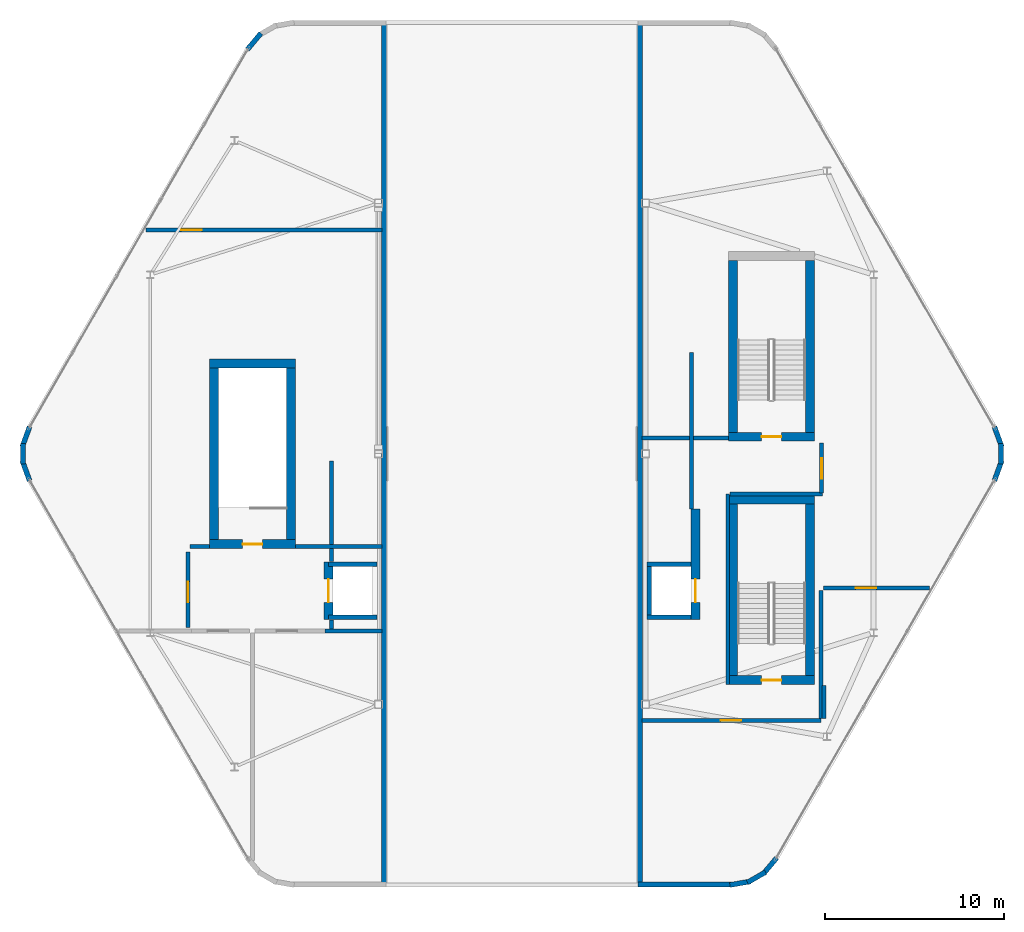
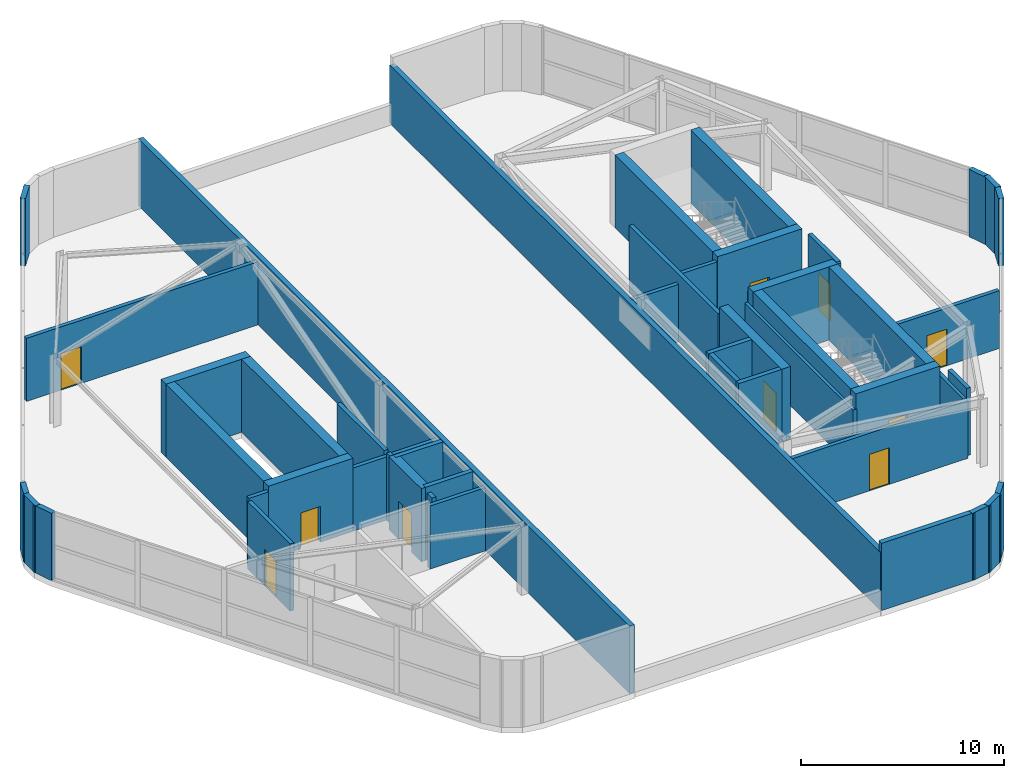
# One storey, part 12 of 14: 49 walls, 10 doors, 10 openings.
"""IFC4 building model written with IfcOpenShell, lengths in metres."""

from ifc_helpers import new_model, si_unit, direction, frame, frame_2d, origin, place, context, subcontext, project, spatial, rectangle, extrude, material, layer, layer_set, type_object, element, fill, save


model = new_model("IFC4")

# Units and contexts
model_context = context("Model", 3, precision=1e-05, world=origin(), true_north=direction((0.0, 1.0)))
body_context = subcontext(model_context, "Body", "Model", "MODEL_VIEW")
ifc_project = project(units=[si_unit("LENGTHUNIT", "METRE"), si_unit("AREAUNIT", "SQUARE_METRE"), si_unit("VOLUMEUNIT", "CUBIC_METRE"), si_unit("PLANEANGLEUNIT", "RADIAN"), si_unit("MASSUNIT", "GRAM", prefix="KILO")], contexts=[model_context])

# Site, building, storey
site_placement = place(None, origin())
site = spatial("IfcSite", under=ifc_project, at=site_placement, CompositionType="ELEMENT")
building_placement = place(site_placement, origin())
building = spatial("IfcBuilding", under=site, at=building_placement, Name="Zuhravey Tower", CompositionType="ELEMENT")
storey_placement = place(building_placement, frame((0.0, 0.0, 379.0)))
storey = spatial("IfcBuildingStorey", under=building, at=storey_placement, Name="L96", CompositionType="ELEMENT", Elevation=379.0)

# Wall, opening, door
ifc_material_1 = material(Name="Concrete C50/60", Category="concrete")
ifc_layer_1 = layer(ifc_material_1, 0.5)
ifc_layer_set_1 = layer_set([ifc_layer_1], Name="Concrete C50/60")
wall_type_1 = type_object("IfcWallType", Name="Core Shear Wall 500", PredefinedType="SHEAR", material=ifc_layer_set_1)
wall_1_placement = place(storey_placement, frame((19.10009765625, 26.949951171875, 0.0), z_axis=(0.0, 0.0, 1.0), x_axis=(1.0, 0.0, 0.0)))
wall_1 = element("IfcWall", 1, at=wall_1_placement, inside=storey, type_object=wall_type_1, Name="L96 CST1 South Shaft Wall", PredefinedType="SHEAR", context=body_context, shape_type="SweptSolid", body=[
    extrude(rectangle(XDim=4.7998046875, YDim=0.5, at=frame_2d((2.39990234375, 0.0))), origin(), (0.0, 0.0, 1.0), 4.39990234375),
])
opening_1_placement = place(wall_1_placement, frame((1.85009765625, 0.0, 0.0)))
opening_1 = element("IfcOpeningElement", 2, at=opening_1_placement, cuts=wall_1, Name="Opening STD1", PredefinedType="OPENING", context=body_context, shape_type="SweptSolid", body=[
    extrude(rectangle(XDim=1.10009765625, YDim=2.14990234375, at=frame_2d((0.550048828125, 1.074951171875))), frame((0.0, 0.261962890625, 0.0), z_axis=(0.0, -1.0, 0.0), x_axis=(1.0, 0.0, 0.0)), (0.0, 0.0, 1.0), 0.52392578125),
])
ifc_material_2 = material(Name="Galvanised fire-rated steel leaf", Category="steel")
door_type_1 = type_object("IfcDoorType", Name="Protected Stair Fire Door 1100x2150", OperationType="NOTDEFINED", PredefinedType="USERDEFINED", material=ifc_material_2)
door_1_placement = place(opening_1_placement, origin())
door_1 = element("IfcDoor", 3, at=door_1_placement, inside=storey, type_object=door_type_1, Name="L96 CST1 Door", ObjectType="EXITDOOR", OperationType="SINGLE_SWING_RIGHT", OverallHeight=2.14990234375, OverallWidth=1.10009765625, PredefinedType="USERDEFINED", context=body_context, shape_type="SweptSolid", body=[
    extrude(rectangle(XDim=1.10009765625, YDim=2.14990234375, at=frame_2d((0.550048828125, 1.074951171875))), frame((0.0, 0.02490234375, 0.0), z_axis=(0.0, -1.0, 0.0), x_axis=(1.0, 0.0, 0.0)), (0.0, 0.0, 1.0), 0.050048828125),
])
fill(opening_1, door_1)

# Walls
wall_2_placement = place(storey_placement, frame((23.89990234375, 37.050048828125, 0.0), z_axis=(0.0, 0.0, 1.0), x_axis=(-1.0, 0.0, 0.0)))
element("IfcWall", 4, at=wall_2_placement, inside=storey, type_object=wall_type_1, Name="L96 CST1 North Shaft Wall", PredefinedType="SHEAR", context=body_context, shape_type="SweptSolid", body=[
    extrude(rectangle(XDim=4.7998046875, YDim=0.5, at=frame_2d((2.39990234375, 0.0))), origin(), (0.0, 0.0, 1.0), 4.39990234375),
])
for number, where, z_axis, x_axis, name in (
    (5, (19.35009765625, 27.199951171875, 0.0), (0.0, 0.0, 1.0), (0.0, 1.0, 0.0), "L96 CST1 West Shaft Wall"),
    (6, (23.64990234375, 36.800048828125, 0.0), (0.0, 0.0, 1.0), (0.0, -1.0, 0.0), "L96 CST1 East Shaft Wall"),
):
    element("IfcWall", number, at=place(storey_placement, frame(where, z_axis=z_axis, x_axis=x_axis)), inside=storey, type_object=wall_type_1, Name=name, PredefinedType="SHEAR", context=body_context, shape_type="SweptSolid", body=[
        extrude(rectangle(XDim=9.60009765625, YDim=0.5, at=frame_2d((4.800048828125, 0.0))), origin(), (0.0, 0.0, 1.0), 4.39990234375),
    ])

# Wall, opening, door
wall_3_placement = place(storey_placement, frame((48.10009765625, 19.35009765625, 0.0), z_axis=(0.0, 0.0, 1.0), x_axis=(1.0, 0.0, 0.0)))
wall_3 = element("IfcWall", 7, at=wall_3_placement, inside=storey, type_object=wall_type_1, Name="L96 CST2 South Shaft Wall", PredefinedType="SHEAR", context=body_context, shape_type="SweptSolid", body=[
    extrude(rectangle(XDim=4.7998046875, YDim=0.5, at=frame_2d((2.39990234375, 0.0))), origin(), (0.0, 0.0, 1.0), 4.39990234375),
])
opening_2_placement = place(wall_3_placement, frame((1.85009765625, 0.0, 0.0)))
opening_2 = element("IfcOpeningElement", 8, at=opening_2_placement, cuts=wall_3, Name="Opening STD1", PredefinedType="OPENING", context=body_context, shape_type="SweptSolid", body=[
    extrude(rectangle(XDim=1.10009765625, YDim=2.14990234375, at=frame_2d((0.550048828125, 1.074951171875))), frame((0.0, 0.261962890625, 0.0), z_axis=(0.0, -1.0, 0.0), x_axis=(1.0, 0.0, 0.0)), (0.0, 0.0, 1.0), 0.52392578125),
])
door_2_placement = place(opening_2_placement, origin())
door_2 = element("IfcDoor", 9, at=door_2_placement, inside=storey, type_object=door_type_1, Name="L96 CST2 Door", ObjectType="EXITDOOR", OperationType="SINGLE_SWING_LEFT", OverallHeight=2.14990234375, OverallWidth=1.10009765625, PredefinedType="USERDEFINED", context=body_context, shape_type="SweptSolid", body=[
    extrude(rectangle(XDim=1.10009765625, YDim=2.14990234375, at=frame_2d((0.550048828125, 1.074951171875))), frame((0.0, 0.02490234375, 0.0), z_axis=(0.0, -1.0, 0.0), x_axis=(1.0, 0.0, 0.0)), (0.0, 0.0, 1.0), 0.050048828125),
])
fill(opening_2, door_2)

# Walls
wall_4_placement = place(storey_placement, frame((52.89990234375, 29.449951171875, 0.0), z_axis=(0.0, 0.0, 1.0), x_axis=(-1.0, 0.0, 0.0)))
element("IfcWall", 10, at=wall_4_placement, inside=storey, type_object=wall_type_1, Name="L96 CST2 North Shaft Wall", PredefinedType="SHEAR", context=body_context, shape_type="SweptSolid", body=[
    extrude(rectangle(XDim=4.7998046875, YDim=0.5, at=frame_2d((2.39990234375, 0.0))), origin(), (0.0, 0.0, 1.0), 4.39990234375),
])
for number, where, z_axis, x_axis, name in (
    (11, (48.35009765625, 19.60009765625, 0.0), (0.0, 0.0, 1.0), (0.0, 1.0, 0.0), "L96 CST2 West Shaft Wall"),
    (12, (52.64990234375, 29.199951171875, 0.0), (0.0, 0.0, 1.0), (0.0, -1.0, 0.0), "L96 CST2 East Shaft Wall"),
):
    element("IfcWall", number, at=place(storey_placement, frame(where, z_axis=z_axis, x_axis=x_axis)), inside=storey, type_object=wall_type_1, Name=name, PredefinedType="SHEAR", context=body_context, shape_type="SweptSolid", body=[
        extrude(rectangle(XDim=9.599853515625, YDim=0.5, at=frame_2d((4.7998046875, 0.0))), origin(), (0.0, 0.0, 1.0), 4.39990234375),
    ])

# Wall, opening, door
wall_5_placement = place(storey_placement, frame((48.10009765625, 32.949951171875, 0.0), z_axis=(0.0, 0.0, 1.0), x_axis=(1.0, 0.0, 0.0)))
wall_5 = element("IfcWall", 13, at=wall_5_placement, inside=storey, type_object=wall_type_1, Name="L96 CST3 South Shaft Wall", PredefinedType="SHEAR", context=body_context, shape_type="SweptSolid", body=[
    extrude(rectangle(XDim=4.7998046875, YDim=0.5, at=frame_2d((2.39990234375, 0.0))), origin(), (0.0, 0.0, 1.0), 4.39990234375),
])
opening_3_placement = place(wall_5_placement, frame((1.85009765625, 0.0, 0.0)))
opening_3 = element("IfcOpeningElement", 14, at=opening_3_placement, cuts=wall_5, Name="Opening STD1", PredefinedType="OPENING", context=body_context, shape_type="SweptSolid", body=[
    extrude(rectangle(XDim=1.10009765625, YDim=2.14990234375, at=frame_2d((0.550048828125, 1.074951171875))), frame((0.0, 0.261962890625, 0.0), z_axis=(0.0, -1.0, 0.0), x_axis=(1.0, 0.0, 0.0)), (0.0, 0.0, 1.0), 0.52392578125),
])
door_3_placement = place(opening_3_placement, origin())
door_3 = element("IfcDoor", 15, at=door_3_placement, inside=storey, type_object=door_type_1, Name="L96 CST3 Door", ObjectType="EXITDOOR", OperationType="SINGLE_SWING_RIGHT", OverallHeight=2.14990234375, OverallWidth=1.10009765625, PredefinedType="USERDEFINED", context=body_context, shape_type="SweptSolid", body=[
    extrude(rectangle(XDim=1.10009765625, YDim=2.14990234375, at=frame_2d((0.550048828125, 1.074951171875))), frame((0.0, 0.02490234375, 0.0), z_axis=(0.0, -1.0, 0.0), x_axis=(1.0, 0.0, 0.0)), (0.0, 0.0, 1.0), 0.050048828125),
])
fill(opening_3, door_3)

# Walls
for number, where, z_axis, x_axis, name in (
    (16, (48.35009765625, 33.199951171875, 0.0), (0.0, 0.0, 1.0), (0.0, 1.0, 0.0), "L96 CST3 West Shaft Wall"),
    (17, (52.64990234375, 42.800048828125, 0.0), (0.0, 0.0, 1.0), (0.0, -1.0, 0.0), "L96 CST3 East Shaft Wall"),
):
    element("IfcWall", number, at=place(storey_placement, frame(where, z_axis=z_axis, x_axis=x_axis)), inside=storey, type_object=wall_type_1, Name=name, PredefinedType="SHEAR", context=body_context, shape_type="SweptSolid", body=[
        extrude(rectangle(XDim=9.60009765625, YDim=0.5, at=frame_2d((4.800048828125, 0.0))), origin(), (0.0, 0.0, 1.0), 4.39990234375),
    ])

# Wall, opening, door
wall_6_placement = place(storey_placement, frame((25.75, 22.75, 0.0), z_axis=(0.0, 0.0, 1.0), x_axis=(0.0, 1.0, 0.0)))
wall_6 = element("IfcWall", 18, at=wall_6_placement, inside=storey, type_object=wall_type_1, Name="L96 West Crest FF1 Shear Wall", PredefinedType="SHEAR", context=body_context, shape_type="SweptSolid", body=[
    extrude(rectangle(XDim=3.199951171875, YDim=0.5, at=frame_2d((1.60009765625, 0.0))), origin(), (0.0, 0.0, 1.0), 4.39990234375),
])
opening_4_placement = place(wall_6_placement, frame((0.949951171875, 0.0, 0.0)))
opening_4 = element("IfcOpeningElement", 19, at=opening_4_placement, cuts=wall_6, Name="Opening LD2", PredefinedType="OPENING", context=body_context, shape_type="SweptSolid", body=[
    extrude(rectangle(XDim=1.300048828125, YDim=2.300048828125, at=frame_2d((0.64990234375, 1.14990234375))), frame((0.0, 0.261962890625, 0.0), z_axis=(0.0, -1.0, 0.0), x_axis=(1.0, 0.0, 0.0)), (0.0, 0.0, 1.0), 0.52392578125),
])
ifc_material_3 = material(Name="Brushed stainless steel", Category="steel")
door_type_2 = type_object("IfcDoorType", Name="Freight & Stretcher Lift Sliding Door 1300x2300", OperationType="DOUBLE_DOOR_SLIDING", PredefinedType="DOOR", material=ifc_material_3)
door_4_placement = place(opening_4_placement, origin())
door_4 = element("IfcDoor", 20, at=door_4_placement, inside=storey, type_object=door_type_2, Name="L96 Lift FF1 Crown Landing Door", OperationType="DOUBLE_DOOR_SLIDING", OverallHeight=2.300048828125, OverallWidth=1.300048828125, PredefinedType="DOOR", context=body_context, shape_type="SweptSolid", body=[
    extrude(rectangle(XDim=1.300048828125, YDim=2.300048828125, at=frame_2d((0.64990234375, 1.14990234375))), frame((0.0, 0.02490234375, 0.0), z_axis=(0.0, -1.0, 0.0), x_axis=(1.0, 0.0, 0.0)), (0.0, 0.0, 1.0), 0.050048828125),
])
fill(opening_4, door_4)

wall_7_placement = place(storey_placement, frame((46.25, 22.75, 0.0), z_axis=(0.0, 0.0, 1.0), x_axis=(0.0, 1.0, 0.0)))
wall_7 = element("IfcWall", 21, at=wall_7_placement, inside=storey, type_object=wall_type_1, Name="L96 East Crest FF2 Shear Wall", PredefinedType="SHEAR", context=body_context, shape_type="SweptSolid", body=[
    extrude(rectangle(XDim=6.14990234375, YDim=0.5, at=frame_2d((3.074951171875, 0.0))), origin(), (0.0, 0.0, 1.0), 4.39990234375),
])
opening_5_placement = place(wall_7_placement, frame((0.949951171875, 0.0, 0.0)))
opening_5 = element("IfcOpeningElement", 22, at=opening_5_placement, cuts=wall_7, Name="Opening LD2", PredefinedType="OPENING", context=body_context, shape_type="SweptSolid", body=[
    extrude(rectangle(XDim=1.300048828125, YDim=2.300048828125, at=frame_2d((0.64990234375, 1.14990234375))), frame((0.0, 0.261962890625, 0.0), z_axis=(0.0, -1.0, 0.0), x_axis=(1.0, 0.0, 0.0)), (0.0, 0.0, 1.0), 0.52392578125),
])
door_5_placement = place(opening_5_placement, frame((1.300048828125, 0.0, 0.0), z_axis=(0.0, 0.0, 1.0), x_axis=(-1.0, 0.0, 0.0)))
door_5 = element("IfcDoor", 23, at=door_5_placement, inside=storey, type_object=door_type_2, Name="L96 Lift FF2 Crown Landing Door", OperationType="DOUBLE_DOOR_SLIDING", OverallHeight=2.300048828125, OverallWidth=1.300048828125, PredefinedType="DOOR", context=body_context, shape_type="SweptSolid", body=[
    extrude(rectangle(XDim=1.300048828125, YDim=2.300048828125, at=frame_2d((0.64990234375, 1.14990234375))), frame((0.0, 0.02490234375, 0.0), z_axis=(0.0, -1.0, 0.0), x_axis=(1.0, 0.0, 0.0)), (0.0, 0.0, 1.0), 0.050048828125),
])
fill(opening_5, door_5)

# Walls
ifc_material_4 = material(Name="Precast concrete C40/50", Category="concrete")
ifc_layer_2 = layer(ifc_material_4, 0.280029296875)
ifc_layer_set_2 = layer_set([ifc_layer_2], Name="Precast concrete C40/50")
wall_type_2 = type_object("IfcWallType", Name="Crown Architectural Wall 280", PredefinedType="SOLIDWALL", material=ifc_layer_set_2)
wall_8_placement = place(storey_placement, frame((9.051513671875, 30.4951171875, 0.0), z_axis=(0.0, 0.0, 1.0), x_axis=(-0.342042645118, 0.939684430498, 0.0)))
element("IfcWall", 24, at=wall_8_placement, inside=storey, type_object=wall_type_2, Name="L96 WEST Crest Wall EW28-05", PredefinedType="SOLIDWALL", context=body_context, shape_type="SweptSolid", body=[
    extrude(rectangle(XDim=1.177734375, YDim=0.280029296875, at=frame_2d((0.5888671875, 0.0))), origin(), (0.0, 0.0, 1.0), 4.050048828125),
])
wall_9_placement = place(storey_placement, frame((8.68115234375, 31.41748046875, 0.0), z_axis=(0.0, 0.0, 1.0), x_axis=(0.0, 1.0, 0.0)))
element("IfcWall", 25, at=wall_9_placement, inside=storey, type_object=wall_type_2, Name="L96 WEST Crest Wall EW28-06", PredefinedType="SOLIDWALL", context=body_context, shape_type="SweptSolid", body=[
    extrude(rectangle(XDim=1.1650390625, YDim=0.280029296875, at=frame_2d((0.58251953125, 0.0))), origin(), (0.0, 0.0, 1.0), 4.050048828125),
])
for number, where, z_axis, x_axis, name in (
    (26, (8.648681640625, 32.398193359375, 0.0), (0.0, 0.0, 1.0), (0.342042645118, 0.939684430498, 0.0), "L96 WEST Crest Wall EW28-07"),
    (27, (21.222412109375, 54.585693359375, 0.0), (0.0, 0.0, 1.0), (0.642851701012, 0.765990659542, 0.0), "L96 WEST Crest Wall EW28-09"),
):
    element("IfcWall", number, at=place(storey_placement, frame(where, z_axis=z_axis, x_axis=x_axis)), inside=storey, type_object=wall_type_2, Name=name, PredefinedType="SOLIDWALL", context=body_context, shape_type="SweptSolid", body=[
        extrude(rectangle(XDim=1.177734375, YDim=0.280029296875, at=frame_2d((0.5888671875, 0.0))), origin(), (0.0, 0.0, 1.0), 4.050048828125),
    ])
wall_10_placement = place(storey_placement, frame((28.860107421875, 56.169189453125, 0.0), z_axis=(0.0, 0.0, 1.0), x_axis=(0.0, -1.0, 0.0)))
element("IfcWall", 28, at=wall_10_placement, inside=storey, type_object=wall_type_2, Name="L96 WEST Crest Wall EW28-13", PredefinedType="SOLIDWALL", context=body_context, shape_type="SweptSolid", body=[
    extrude(rectangle(XDim=48.33837890625, YDim=0.280029296875, at=frame_2d((24.169189453125, 0.0))), origin(), (0.0, 0.0, 1.0), 4.050048828125),
])
wall_11_placement = place(storey_placement, frame((62.948486328125, 33.5048828125, 0.0), z_axis=(0.0, 0.0, 1.0), x_axis=(0.342042645118, -0.939684430498, 0.0)))
element("IfcWall", 29, at=wall_11_placement, inside=storey, type_object=wall_type_2, Name="L96 EAST Crest Wall EW28-05", PredefinedType="SOLIDWALL", context=body_context, shape_type="SweptSolid", body=[
    extrude(rectangle(XDim=1.177734375, YDim=0.280029296875, at=frame_2d((0.5888671875, 0.0))), origin(), (0.0, 0.0, 1.0), 4.050048828125),
])
wall_12_placement = place(storey_placement, frame((63.31884765625, 32.58251953125, 0.0), z_axis=(0.0, 0.0, 1.0), x_axis=(0.0, -1.0, 0.0)))
element("IfcWall", 30, at=wall_12_placement, inside=storey, type_object=wall_type_2, Name="L96 EAST Crest Wall EW28-06", PredefinedType="SOLIDWALL", context=body_context, shape_type="SweptSolid", body=[
    extrude(rectangle(XDim=1.1650390625, YDim=0.280029296875, at=frame_2d((0.58251953125, 0.0))), origin(), (0.0, 0.0, 1.0), 4.050048828125),
])
for number, where, z_axis, x_axis, name in (
    (31, (63.351318359375, 31.601806640625, 0.0), (0.0, 0.0, 1.0), (-0.342042645118, -0.939684430498, 0.0), "L96 EAST Crest Wall EW28-07"),
    (32, (50.777587890625, 9.414306640625, 0.0), (0.0, 0.0, 1.0), (-0.642851701012, -0.765990659542, 0.0), "L96 EAST Crest Wall EW28-09"),
):
    element("IfcWall", number, at=place(storey_placement, frame(where, z_axis=z_axis, x_axis=x_axis)), inside=storey, type_object=wall_type_2, Name=name, PredefinedType="SOLIDWALL", context=body_context, shape_type="SweptSolid", body=[
        extrude(rectangle(XDim=1.177734375, YDim=0.280029296875, at=frame_2d((0.5888671875, 0.0))), origin(), (0.0, 0.0, 1.0), 4.050048828125),
    ])
wall_13_placement = place(storey_placement, frame((50.163818359375, 8.632568359375, 0.0), z_axis=(0.0, 0.0, 1.0), x_axis=(-0.865951785477, -0.500127488975, 0.0)))
element("IfcWall", 33, at=wall_13_placement, inside=storey, type_object=wall_type_2, Name="L96 EAST Crest Wall EW28-10", PredefinedType="SOLIDWALL", context=body_context, shape_type="SweptSolid", body=[
    extrude(rectangle(XDim=1.165283203125, YDim=0.280029296875, at=frame_2d((0.58251953125, 0.0))), origin(), (0.0, 0.0, 1.0), 4.050048828125),
])
wall_14_placement = place(storey_placement, frame((49.330810546875, 8.114013671875, 0.0), z_axis=(0.0, 0.0, 1.0), x_axis=(-0.984798162481, -0.173702559495, 0.0)))
element("IfcWall", 34, at=wall_14_placement, inside=storey, type_object=wall_type_2, Name="L96 EAST Crest Wall EW28-11", PredefinedType="SOLIDWALL", context=body_context, shape_type="SweptSolid", body=[
    extrude(rectangle(XDim=1.177734375, YDim=0.280029296875, at=frame_2d((0.5888671875, 0.0))), origin(), (0.0, 0.0, 1.0), 4.050048828125),
])
wall_15_placement = place(storey_placement, frame((48.359619140625, 7.92578125, 0.0), z_axis=(0.0, 0.0, 1.0), x_axis=(-1.0, 0.0, 0.0)))
element("IfcWall", 35, at=wall_15_placement, inside=storey, type_object=wall_type_2, Name="L96 EAST Crest Wall EW28-12", PredefinedType="SOLIDWALL", context=body_context, shape_type="SweptSolid", body=[
    extrude(rectangle(XDim=5.314697265625, YDim=0.280029296875, at=frame_2d((2.6572265625, 0.0))), origin(), (0.0, 0.0, 1.0), 4.050048828125),
])
wall_16_placement = place(storey_placement, frame((43.139892578125, 7.830810546875, 0.0), z_axis=(0.0, 0.0, 1.0), x_axis=(0.0, 1.0, 0.0)))
element("IfcWall", 36, at=wall_16_placement, inside=storey, type_object=wall_type_2, Name="L96 EAST Crest Wall EW28-13", PredefinedType="SOLIDWALL", context=body_context, shape_type="SweptSolid", body=[
    extrude(rectangle(XDim=48.33837890625, YDim=0.280029296875, at=frame_2d((24.169189453125, 0.0))), origin(), (0.0, 0.0, 1.0), 3.469970703125),
])
ifc_layer_3 = layer(ifc_material_1, 0.25)
ifc_layer_set_3 = layer_set([ifc_layer_3], Name="Concrete C50/60")
wall_type_3 = type_object("IfcWallType", Name="Firefighting Shaft & Stair Wall 250", PredefinedType="SOLIDWALL", material=ifc_layer_set_3)
for number, where, z_axis, x_axis, name in (
    (37, (25.75, 25.824951171875, 0.0), (0.0, 0.0, 1.0), (1.0, 0.0, 0.0), "L96 FW25 Shaft Wall 001"),
    (38, (25.75, 22.875, 0.0), (0.0, 0.0, 1.0), (1.0, 0.0, 0.0), "L96 FW25 Shaft Wall 002"),
):
    element("IfcWall", number, at=place(storey_placement, frame(where, z_axis=z_axis, x_axis=x_axis)), inside=storey, type_object=wall_type_3, Name=name, PredefinedType="SOLIDWALL", context=body_context, shape_type="SweptSolid", body=[
        extrude(rectangle(XDim=2.699951171875, YDim=0.25, at=frame_2d((1.35009765625, 0.0))), origin(), (0.0, 0.0, 1.0), 4.39990234375),
    ])
for number, where, z_axis, x_axis, name in (
    (39, (43.550048828125, 22.875, 0.0), (0.0, 0.0, 1.0), (1.0, 0.0, 0.0), "L96 FW25 Shaft Wall 003"),
    (40, (43.550048828125, 25.824951171875, 0.0), (0.0, 0.0, 1.0), (1.0, 0.0, 0.0), "L96 FW25 Shaft Wall 004"),
):
    element("IfcWall", number, at=place(storey_placement, frame(where, z_axis=z_axis, x_axis=x_axis)), inside=storey, type_object=wall_type_3, Name=name, PredefinedType="SOLIDWALL", context=body_context, shape_type="SweptSolid", body=[
        extrude(rectangle(XDim=2.449951171875, YDim=0.25, at=frame_2d((1.22509765625, 0.0))), origin(), (0.0, 0.0, 1.0), 4.39990234375),
    ])
wall_17_placement = place(storey_placement, frame((43.675048828125, 23.0, 0.0), z_axis=(0.0, 0.0, 1.0), x_axis=(0.0, 1.0, 0.0)))
element("IfcWall", 41, at=wall_17_placement, inside=storey, type_object=wall_type_3, Name="L96 FW25 Shaft Wall 005", PredefinedType="SOLIDWALL", context=body_context, shape_type="SweptSolid", body=[
    extrude(rectangle(XDim=2.699951171875, YDim=0.25, at=frame_2d((1.35009765625, 0.0))), origin(), (0.0, 0.0, 1.0), 4.39990234375),
])

# Wall, opening, door
ifc_material_5 = material(Name="Gypsum acoustic stud assembly")
ifc_layer_4 = layer(ifc_material_5, 0.219970703125)
ifc_layer_set_4 = layer_set([ifc_layer_4], Name="Gypsum acoustic stud assembly")
wall_type_4 = type_object("IfcWallType", Name="School Acoustic Compartment Wall 220", PredefinedType="PARTITIONING", material=ifc_layer_set_4)
wall_18_placement = place(storey_placement, frame((15.55712890625, 44.5, 0.0), z_axis=(0.0, 0.0, 1.0), x_axis=(1.0, 0.0, 0.0)))
wall_18 = element("IfcWall", 42, at=wall_18_placement, inside=storey, type_object=wall_type_4, Name="L96 IW22 Partition 006", PredefinedType="PARTITIONING", context=body_context, shape_type="SweptSolid", body=[
    extrude(rectangle(XDim=13.182861328125, YDim=0.219970703125, at=frame_2d((6.59130859375, 0.0))), origin(), (0.0, 0.0, 1.0), 3.800048828125),
])
opening_6_placement = place(wall_18_placement, frame((1.962890625, 0.0, 0.0)))
opening_6 = element("IfcOpeningElement", 43, at=opening_6_placement, cuts=wall_18, Name="Opening CLD1", PredefinedType="OPENING", context=body_context, shape_type="SweptSolid", body=[
    extrude(rectangle(XDim=1.14990234375, YDim=2.199951171875, at=frame_2d((0.574951171875, 1.10009765625))), frame((0.0, 0.1220703125, 0.0), z_axis=(0.0, -1.0, 0.0), x_axis=(1.0, 0.0, 0.0)), (0.0, 0.0, 1.0), 0.243896484375),
])
ifc_material_6 = material(Name="Acoustic timber leaf with vision lite", Category="wood")
door_type_3 = type_object("IfcDoorType", Name="Classroom Acoustic Door 1150x2200", OperationType="NOTDEFINED", PredefinedType="DOOR", material=ifc_material_6)
door_6_placement = place(opening_6_placement, origin())
door_6 = element("IfcDoor", 44, at=door_6_placement, inside=storey, type_object=door_type_3, Name="L96 West Telemetry Plant Door", OperationType="SINGLE_SWING_LEFT", OverallHeight=2.199951171875, OverallWidth=1.14990234375, PredefinedType="DOOR", context=body_context, shape_type="SweptSolid", body=[
    extrude(rectangle(XDim=1.14990234375, YDim=2.199951171875, at=frame_2d((0.574951171875, 1.10009765625))), frame((0.0, 0.02490234375, 0.0), z_axis=(0.0, -1.0, 0.0), x_axis=(1.0, 0.0, 0.0)), (0.0, 0.0, 1.0), 0.050048828125),
])
fill(opening_6, door_6)

wall_19_placement = place(storey_placement, frame((17.89990234375, 22.300048828125, 0.0), z_axis=(0.0, 0.0, 1.0), x_axis=(0.0, 1.0, 0.0)))
wall_19 = element("IfcWall", 45, at=wall_19_placement, inside=storey, type_object=wall_type_4, Name="L96 IW22 Partition 009", PredefinedType="PARTITIONING", context=body_context, shape_type="SweptSolid", body=[
    extrude(rectangle(XDim=4.199951171875, YDim=0.219970703125, at=frame_2d((2.10009765625, 0.0))), origin(), (0.0, 0.0, 1.0), 4.050048828125),
])
opening_7_placement = place(wall_19_placement, frame((1.39990234375, 0.0, 0.0)))
opening_7 = element("IfcOpeningElement", 46, at=opening_7_placement, cuts=wall_19, Name="Opening CLD1", PredefinedType="OPENING", context=body_context, shape_type="SweptSolid", body=[
    extrude(rectangle(XDim=1.14990234375, YDim=2.199951171875, at=frame_2d((0.574951171875, 1.10009765625))), frame((0.0, 0.1220703125, 0.0), z_axis=(0.0, -1.0, 0.0), x_axis=(1.0, 0.0, 0.0)), (0.0, 0.0, 1.0), 0.243896484375),
])
door_7_placement = place(opening_7_placement, origin())
door_7 = element("IfcDoor", 47, at=door_7_placement, inside=storey, type_object=door_type_3, Name="L96 Elevator Machine Control Plant Door", OperationType="SINGLE_SWING_RIGHT", OverallHeight=2.199951171875, OverallWidth=1.14990234375, PredefinedType="DOOR", context=body_context, shape_type="SweptSolid", body=[
    extrude(rectangle(XDim=1.14990234375, YDim=2.199951171875, at=frame_2d((0.574951171875, 1.10009765625))), frame((0.0, 0.02490234375, 0.0), z_axis=(0.0, -1.0, 0.0), x_axis=(1.0, 0.0, 0.0)), (0.0, 0.0, 1.0), 0.050048828125),
])
fill(opening_7, door_7)

wall_20_placement = place(storey_placement, frame((53.39990234375, 24.5, 0.0), z_axis=(0.0, 0.0, 1.0), x_axis=(1.0, 0.0, 0.0)))
wall_20 = element("IfcWall", 48, at=wall_20_placement, inside=storey, type_object=wall_type_4, Name="L96 IW22 Partition 010", PredefinedType="PARTITIONING", context=body_context, shape_type="SweptSolid", body=[
    extrude(rectangle(XDim=5.9296875, YDim=0.219970703125, at=frame_2d((2.96484375, 0.0))), origin(), (0.0, 0.0, 1.0), 3.469970703125),
])
opening_8_placement = place(wall_20_placement, frame((1.800048828125, 0.0, 0.0)))
opening_8 = element("IfcOpeningElement", 49, at=opening_8_placement, cuts=wall_20, Name="Opening CLD1", PredefinedType="OPENING", context=body_context, shape_type="SweptSolid", body=[
    extrude(rectangle(XDim=1.14990234375, YDim=2.199951171875, at=frame_2d((0.574951171875, 1.10009765625))), frame((0.0, 0.1220703125, 0.0), z_axis=(0.0, -1.0, 0.0), x_axis=(1.0, 0.0, 0.0)), (0.0, 0.0, 1.0), 0.243896484375),
])
door_8_placement = place(opening_8_placement, frame((1.14990234375, 0.0, 0.0), z_axis=(0.0, 0.0, 1.0), x_axis=(-1.0, 0.0, 0.0)))
door_8 = element("IfcDoor", 50, at=door_8_placement, inside=storey, type_object=door_type_3, Name="L96 Chiller Sub-Plant Door", OperationType="SINGLE_SWING_LEFT", OverallHeight=2.199951171875, OverallWidth=1.14990234375, PredefinedType="DOOR", context=body_context, shape_type="SweptSolid", body=[
    extrude(rectangle(XDim=1.14990234375, YDim=2.199951171875, at=frame_2d((0.574951171875, 1.10009765625))), frame((0.0, 0.02490234375, 0.0), z_axis=(0.0, -1.0, 0.0), x_axis=(1.0, 0.0, 0.0)), (0.0, 0.0, 1.0), 0.050048828125),
])
fill(opening_8, door_8)

wall_21_placement = place(storey_placement, frame((43.260009765625, 17.10009765625, 0.0), z_axis=(0.0, 0.0, 1.0), x_axis=(1.0, 0.0, 0.0)))
wall_21 = element("IfcWall", 51, at=wall_21_placement, inside=storey, type_object=wall_type_4, Name="L96 IW22 Partition 011", PredefinedType="PARTITIONING", context=body_context, shape_type="SweptSolid", body=[
    extrude(rectangle(XDim=9.989990234375, YDim=0.219970703125, at=frame_2d((4.9951171875, 0.0))), origin(), (0.0, 0.0, 1.0), 3.469970703125),
])
opening_9_placement = place(wall_21_placement, frame((4.389892578125, 0.0, 0.0)))
opening_9 = element("IfcOpeningElement", 52, at=opening_9_placement, cuts=wall_21, Name="Opening CLD1", PredefinedType="OPENING", context=body_context, shape_type="SweptSolid", body=[
    extrude(rectangle(XDim=1.14990234375, YDim=2.199951171875, at=frame_2d((0.574951171875, 1.10009765625))), frame((0.0, 0.1220703125, 0.0), z_axis=(0.0, -1.0, 0.0), x_axis=(1.0, 0.0, 0.0)), (0.0, 0.0, 1.0), 0.243896484375),
])
door_9_placement = place(opening_9_placement, frame((1.14990234375, 0.0, 0.0), z_axis=(0.0, 0.0, 1.0), x_axis=(-1.0, 0.0, 0.0)))
door_9 = element("IfcDoor", 53, at=door_9_placement, inside=storey, type_object=door_type_3, Name="L96 East Crest Chiller Plant Room Door", OperationType="SINGLE_SWING_RIGHT", OverallHeight=2.199951171875, OverallWidth=1.14990234375, PredefinedType="DOOR", context=body_context, shape_type="SweptSolid", body=[
    extrude(rectangle(XDim=1.14990234375, YDim=2.199951171875, at=frame_2d((0.574951171875, 1.10009765625))), frame((0.0, 0.02490234375, 0.0), z_axis=(0.0, -1.0, 0.0), x_axis=(1.0, 0.0, 0.0)), (0.0, 0.0, 1.0), 0.050048828125),
])
fill(opening_9, door_9)

wall_22_placement = place(storey_placement, frame((53.300048828125, 29.800048828125, 0.0), z_axis=(0.0, 0.0, 1.0), x_axis=(0.0, 1.0, 0.0)))
wall_22 = element("IfcWall", 54, at=wall_22_placement, inside=storey, type_object=wall_type_4, Name="L96 IW22 Partition 012", PredefinedType="PARTITIONING", context=body_context, shape_type="SweptSolid", body=[
    extrude(rectangle(XDim=2.800048828125, YDim=0.219970703125, at=frame_2d((1.39990234375, 0.0))), origin(), (0.0, 0.0, 1.0), 4.050048828125),
])
opening_10_placement = place(wall_22_placement, frame((0.800048828125, 0.0, 0.0)))
opening_10 = element("IfcOpeningElement", 55, at=opening_10_placement, cuts=wall_22, Name="Opening CLD1", PredefinedType="OPENING", context=body_context, shape_type="SweptSolid", body=[
    extrude(rectangle(XDim=1.14990234375, YDim=2.199951171875, at=frame_2d((0.574951171875, 1.10009765625))), frame((0.0, 0.1220703125, 0.0), z_axis=(0.0, -1.0, 0.0), x_axis=(1.0, 0.0, 0.0)), (0.0, 0.0, 1.0), 0.243896484375),
])
door_10_placement = place(opening_10_placement, frame((1.14990234375, 0.0, 0.0), z_axis=(0.0, 0.0, 1.0), x_axis=(-1.0, 0.0, 0.0)))
door_10 = element("IfcDoor", 56, at=door_10_placement, inside=storey, type_object=door_type_3, Name="L96 Crown Building Maintenance Equipment Plant Door", OperationType="SINGLE_SWING_LEFT", OverallHeight=2.199951171875, OverallWidth=1.14990234375, PredefinedType="DOOR", context=body_context, shape_type="SweptSolid", body=[
    extrude(rectangle(XDim=1.14990234375, YDim=2.199951171875, at=frame_2d((0.574951171875, 1.10009765625))), frame((0.0, 0.02490234375, 0.0), z_axis=(0.0, -1.0, 0.0), x_axis=(1.0, 0.0, 0.0)), (0.0, 0.0, 1.0), 0.050048828125),
])
fill(opening_10, door_10)

# Walls
wall_23_placement = place(storey_placement, frame((25.550048828125, 22.10009765625, 0.0), z_axis=(0.0, 0.0, 1.0), x_axis=(1.0, 0.0, 0.0)))
element("IfcWall", 57, at=wall_23_placement, inside=storey, type_object=wall_type_4, Name="L96 IW22 Partition 014", PredefinedType="PARTITIONING", context=body_context, shape_type="SweptSolid", body=[
    extrude(rectangle(XDim=3.18994140625, YDim=0.219970703125, at=frame_2d((1.594970703125, 0.0))), origin(), (0.0, 0.0, 1.0), 3.800048828125),
])
wall_24_placement = place(storey_placement, frame((28.739990234375, 26.820068359375, 0.0), z_axis=(0.0, 0.0, 1.0), x_axis=(-1.0, 0.0, 0.0)))
element("IfcWall", 58, at=wall_24_placement, inside=storey, type_object=wall_type_4, Name="L96 IW22 Partition 016", PredefinedType="PARTITIONING", context=body_context, shape_type="SweptSolid", body=[
    extrude(rectangle(XDim=4.840087890625, YDim=0.219970703125, at=frame_2d((2.419921875, 0.0))), origin(), (0.0, 0.0, 1.0), 3.800048828125),
])
wall_25_placement = place(storey_placement, frame((19.10009765625, 26.820068359375, 0.0), z_axis=(0.0, 0.0, 1.0), x_axis=(-1.0, 0.0, 0.0)))
element("IfcWall", 59, at=wall_25_placement, inside=storey, type_object=wall_type_4, Name="L96 IW22 Partition 017", PredefinedType="PARTITIONING", context=body_context, shape_type="SweptSolid", body=[
    extrude(rectangle(XDim=1.10009765625, YDim=0.219970703125, at=frame_2d((0.550048828125, 0.0))), origin(), (0.0, 0.0, 1.0), 4.050048828125),
])
wall_26_placement = place(storey_placement, frame((25.919921875, 25.989013671875, 0.0), z_axis=(0.0, 0.0, 1.0), x_axis=(0.0, 1.0, 0.0)))
element("IfcWall", 60, at=wall_26_placement, inside=storey, type_object=wall_type_4, Name="L96 IW22 Partition 018", PredefinedType="PARTITIONING", context=body_context, shape_type="SweptSolid", body=[
    extrude(rectangle(XDim=0.712890625, YDim=0.219970703125, at=frame_2d((0.3564453125, 0.0))), origin(), (0.0, 0.0, 1.0), 4.050048828125),
])
wall_27_placement = place(storey_placement, frame((25.919921875, 26.93798828125, 0.0), z_axis=(0.0, 0.0, 1.0), x_axis=(0.0, 1.0, 0.0)))
element("IfcWall", 61, at=wall_27_placement, inside=storey, type_object=wall_type_4, Name="L96 IW22 Partition 019", PredefinedType="PARTITIONING", context=body_context, shape_type="SweptSolid", body=[
    extrude(rectangle(XDim=4.662109375, YDim=0.219970703125, at=frame_2d((2.3310546875, 0.0))), origin(), (0.0, 0.0, 1.0), 4.050048828125),
])
wall_28_placement = place(storey_placement, frame((25.919921875, 22.218017578125, 0.0), z_axis=(0.0, 0.0, 1.0), x_axis=(0.0, 1.0, 0.0)))
element("IfcWall", 62, at=wall_28_placement, inside=storey, type_object=wall_type_4, Name="L96 IW22 Partition 020", PredefinedType="PARTITIONING", context=body_context, shape_type="SweptSolid", body=[
    extrude(rectangle(XDim=0.4931640625, YDim=0.219970703125, at=frame_2d((0.24658203125, 0.0))), origin(), (0.0, 0.0, 1.0), 4.050048828125),
])
wall_29_placement = place(storey_placement, frame((53.25, 17.218017578125, 0.0), z_axis=(0.0, 0.0, 1.0), x_axis=(0.0, 1.0, 0.0)))
element("IfcWall", 63, at=wall_29_placement, inside=storey, type_object=wall_type_4, Name="L96 IW22 Partition 021", PredefinedType="PARTITIONING", context=body_context, shape_type="SweptSolid", body=[
    extrude(rectangle(XDim=7.132080078125, YDim=0.219970703125, at=frame_2d((3.56591796875, 0.0))), origin(), (0.0, 0.0, 1.0), 3.469970703125),
])
wall_30_placement = place(storey_placement, frame((48.050048828125, 19.10009765625, 0.0), z_axis=(0.0, 0.0, 1.0), x_axis=(0.0, 1.0, 0.0)))
element("IfcWall", 64, at=wall_30_placement, inside=storey, type_object=wall_type_4, Name="L96 IW22 Partition 022", PredefinedType="PARTITIONING", context=body_context, shape_type="SweptSolid", body=[
    extrude(rectangle(XDim=10.64990234375, YDim=0.219970703125, at=frame_2d((5.324951171875, 0.0))), origin(), (0.0, 0.0, 1.0), 3.469970703125),
])
wall_31_placement = place(storey_placement, frame((48.16796875, 29.75, 0.0), z_axis=(0.0, 0.0, 1.0), x_axis=(1.0, 0.0, 0.0)))
element("IfcWall", 65, at=wall_31_placement, inside=storey, type_object=wall_type_4, Name="L96 IW22 Partition 023", PredefinedType="PARTITIONING", context=body_context, shape_type="SweptSolid", body=[
    extrude(rectangle(XDim=5.18212890625, YDim=0.219970703125, at=frame_2d((2.591064453125, 0.0))), origin(), (0.0, 0.0, 1.0), 4.050048828125),
])
wall_32_placement = place(storey_placement, frame((53.419921875, 17.199951171875, 0.0), z_axis=(0.0, 0.0, 1.0), x_axis=(0.0, 1.0, 0.0)))
element("IfcWall", 66, at=wall_32_placement, inside=storey, type_object=wall_type_4, Name="L96 IW22 Partition 024", PredefinedType="PARTITIONING", context=body_context, shape_type="SweptSolid", body=[
    extrude(rectangle(XDim=1.85009765625, YDim=0.219970703125, at=frame_2d((0.925048828125, 0.0))), origin(), (0.0, 0.0, 1.0), 4.050048828125),
])
wall_33_placement = place(storey_placement, frame((46.030029296875, 37.64990234375, 0.0), z_axis=(0.0, 0.0, 1.0), x_axis=(0.0, -1.0, 0.0)))
element("IfcWall", 67, at=wall_33_placement, inside=storey, type_object=wall_type_4, Name="L96 IW22 Partition 025", PredefinedType="PARTITIONING", context=body_context, shape_type="SweptSolid", body=[
    extrude(rectangle(XDim=8.75, YDim=0.219970703125, at=frame_2d((4.375, 0.0))), origin(), (0.0, 0.0, 1.0), 4.050048828125),
])
wall_34_placement = place(storey_placement, frame((48.10009765625, 32.8701171875, 0.0), z_axis=(0.0, 0.0, 1.0), x_axis=(-1.0, 0.0, 0.0)))
element("IfcWall", 68, at=wall_34_placement, inside=storey, type_object=wall_type_4, Name="L96 IW22 Partition 026", PredefinedType="PARTITIONING", context=body_context, shape_type="SweptSolid", body=[
    extrude(rectangle(XDim=1.9521484375, YDim=0.219970703125, at=frame_2d((0.97607421875, 0.0))), origin(), (0.0, 0.0, 1.0), 4.050048828125),
])
wall_35_placement = place(storey_placement, frame((45.912109375, 32.8701171875, 0.0), z_axis=(0.0, 0.0, 1.0), x_axis=(-1.0, 0.0, 0.0)))
element("IfcWall", 69, at=wall_35_placement, inside=storey, type_object=wall_type_4, Name="L96 IW22 Partition 027", PredefinedType="PARTITIONING", context=body_context, shape_type="SweptSolid", body=[
    extrude(rectangle(XDim=2.652099609375, YDim=0.219970703125, at=frame_2d((1.326171875, 0.0))), origin(), (0.0, 0.0, 1.0), 3.469970703125),
])

save(model, "model.ifc")
